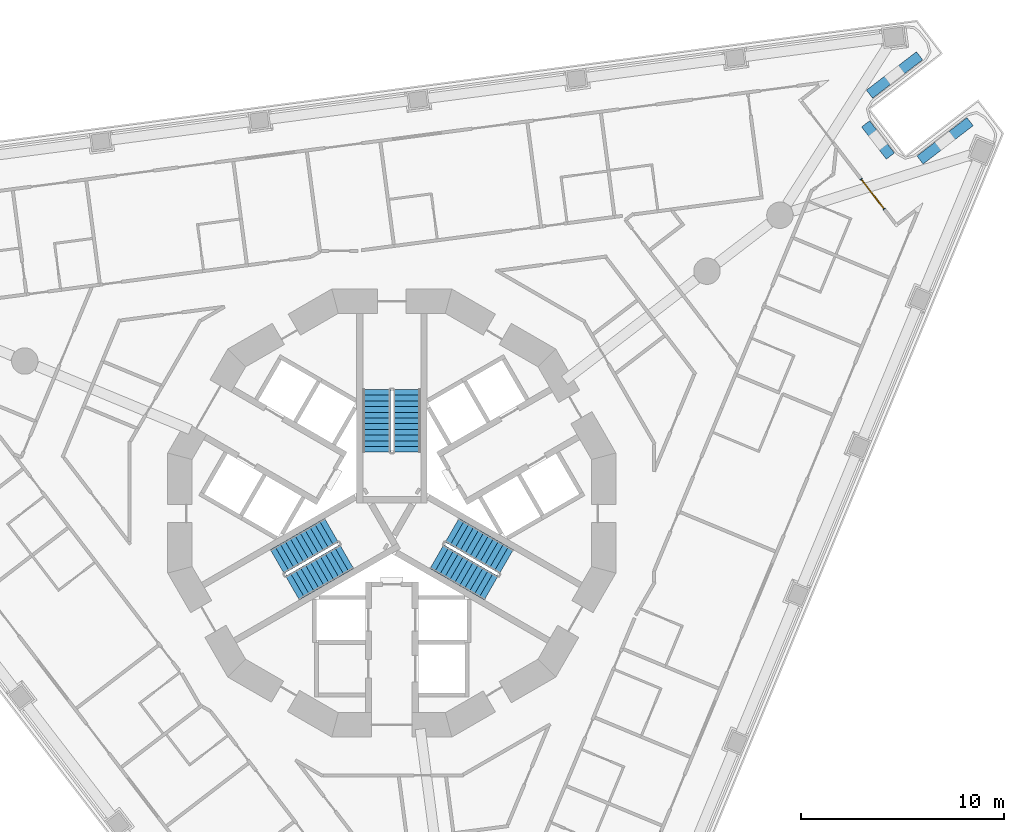
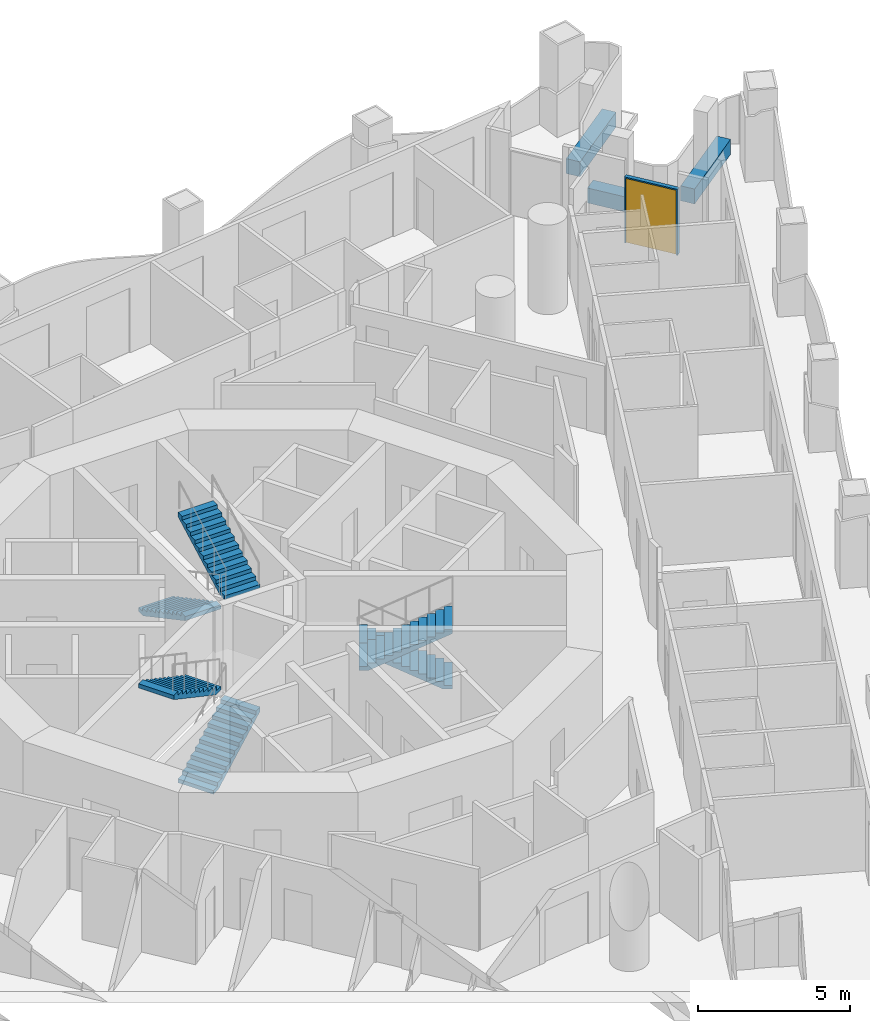
# One storey, part 11 of 19: 6 stair flights, 4 walls, 1 door, 1 opening, 3 elements without a shape of their own.
"""IFC4 building model written with IfcOpenShell, lengths in metres."""

from ifc_helpers import new_model, si_unit, direction, frame, frame_2d, origin, place, context, subcontext, project, spatial, polyline, rectangle, outline, extrude, material, layer, layer_set, type_object, element, fill, aggregate, save


model = new_model("IFC4")

# Units and contexts
model_context = context("Model", 3, precision=1e-05, world=origin(), true_north=direction((0.0, 1.0)))
body_context = subcontext(model_context, "Body", "Model", "MODEL_VIEW")
ifc_project = project(units=[si_unit("LENGTHUNIT", "METRE"), si_unit("AREAUNIT", "SQUARE_METRE"), si_unit("VOLUMEUNIT", "CUBIC_METRE"), si_unit("PLANEANGLEUNIT", "RADIAN"), si_unit("MASSUNIT", "GRAM", prefix="KILO")], contexts=[model_context])

# Site, building, storey
site_placement = place(None, origin())
site = spatial("IfcSite", under=ifc_project, at=site_placement, CompositionType="ELEMENT")
building_placement = place(site_placement, origin())
building = spatial("IfcBuilding", under=site, at=building_placement, Name="Trine Commons Tower", CompositionType="ELEMENT")
storey_placement = place(building_placement, frame((0.0, 0.0, 75.60009765625)))
storey = spatial("IfcBuildingStorey", under=building, at=storey_placement, Name="L18", CompositionType="ELEMENT", Elevation=75.60009765625)

# Wall, opening, door
ifc_material_1 = material(Name="Aluminium-framed insulated wall panel", Category="aluminium")
ifc_layer_1 = layer(ifc_material_1, 0.14990234375)
ifc_layer_set_1 = layer_set([ifc_layer_1], Name="Aluminium-framed insulated wall panel")
wall_type_1 = type_object("IfcWallType", Name="Glazed frame wall 150, EI 60", PredefinedType="SOLIDWALL", material=ifc_layer_set_1)
wall_1_placement = place(storey_placement, frame((103.051513671875, 78.927490234375, 0.0), z_axis=(0.0, 0.0, 1.0), x_axis=(0.608803740143, -0.793320872023, 0.0)))
wall_1 = element("IfcWall", 1, at=wall_1_placement, inside=storey, type_object=wall_type_1, Name="Glazed frame wall P2.4", PredefinedType="SOLIDWALL", context=body_context, shape_type="SweptSolid", body=[
    extrude(outline(polyline([(0.0, -0.074951171875), (1.89990234375, -0.074951171875), (1.89990234375, 0.074951171875), (0.0, 0.074951171875), (0.0, -0.074951171875)])), origin(), (0.0, 0.0, 1.0), 2.64990234375),
])
opening_placement = place(wall_1_placement, frame((0.050048828125, 0.0, 0.0)))
opening = element("IfcOpeningElement", 2, at=opening_placement, cuts=wall_1, Name="Opening BD-2P2-02", PredefinedType="OPENING", context=body_context, shape_type="SweptSolid", body=[
    extrude(rectangle(XDim=1.800048828125, YDim=2.60009765625, at=frame_2d((0.89990234375, 1.300048828125))), frame((0.0, 0.0849609375, 0.0), z_axis=(0.0, -1.0, 0.0), x_axis=(1.0, 0.0, 0.0)), (0.0, 0.0, 1.0), 0.169921875),
])
ifc_material_2 = material(Name="Anodised aluminium frame with double glazing", Category="aluminium")
door_type = type_object("IfcDoorType", Name="Sliding loggia door 1800x2600", OperationType="SLIDING_TO_LEFT", PredefinedType="DOOR", material=ifc_material_2)
door_placement = place(opening_placement, origin())
door = element("IfcDoor", 3, at=door_placement, inside=storey, type_object=door_type, Name="Loggia door P2 2", OperationType="SLIDING_TO_LEFT", OverallHeight=2.60009765625, OverallWidth=1.800048828125, PredefinedType="DOOR", context=body_context, shape_type="SweptSolid", body=[
    extrude(rectangle(XDim=1.800048828125, YDim=2.60009765625, at=frame_2d((0.89990234375, 1.300048828125))), frame((0.0, 0.02490234375, 0.0), z_axis=(0.0, -1.0, 0.0), x_axis=(1.0, 0.0, 0.0)), (0.0, 0.0, 1.0), 0.050048828125),
])
fill(opening, door)

# Walls
ifc_material_3 = material(Name="Planter trough, precast concrete C40/50", Category="concrete")
ifc_layer_2 = layer(ifc_material_3, 0.5)
ifc_layer_set_2 = layer_set([ifc_layer_2], Name="Planter trough, precast concrete C40/50")
wall_type_2 = type_object("IfcWallType", Name="Planter trough 500x600", PredefinedType="PARAPET", material=ifc_layer_set_2)
wall_2_placement = place(storey_placement, frame((105.933349609375, 84.970703125, 0.0), z_axis=(0.0, 0.0, 1.0), x_axis=(-0.793355321014, -0.608758847671, 0.0)))
element("IfcWall", 4, at=wall_2_placement, inside=storey, type_object=wall_type_2, Name="Planter 4", PredefinedType="PARAPET", context=body_context, shape_type="SweptSolid", body=[
    extrude(rectangle(XDim=3.10009765625, YDim=0.5, at=frame_2d((1.550048828125, 0.0))), origin(), (0.0, 0.0, 1.0), 0.599853515625),
])
wall_3_placement = place(storey_placement, frame((103.281982421875, 81.625244140625, 0.0), z_axis=(0.0, 0.0, 1.0), x_axis=(0.608772331974, -0.793344974033, 0.0)))
element("IfcWall", 5, at=wall_3_placement, inside=storey, type_object=wall_type_2, Name="Planter 5", PredefinedType="PARAPET", context=body_context, shape_type="SweptSolid", body=[
    extrude(rectangle(XDim=2.0, YDim=0.5, at=frame_2d((1.0, 0.0))), origin(), (0.0, 0.0, 1.0), 0.599853515625),
])
wall_4_placement = place(storey_placement, frame((105.95751953125, 79.8466796875, 0.0), z_axis=(0.0, 0.0, 1.0), x_axis=(0.793355321014, 0.608758847671, 0.0)))
element("IfcWall", 6, at=wall_4_placement, inside=storey, type_object=wall_type_2, Name="Planter 6", PredefinedType="PARAPET", context=body_context, shape_type="SweptSolid", body=[
    extrude(rectangle(XDim=3.10009765625, YDim=0.5, at=frame_2d((1.550048828125, 0.0))), origin(), (0.0, 0.0, 1.0), 0.599853515625),
])

# Stair, stair flights
ifc_material_4 = material(Name="Concrete C50/60", Category="concrete")
stair_type = type_object("IfcStairType", Name="Exit stair, dog-leg, 24 risers of 150 mm", PredefinedType="HALF_TURN_STAIR", material=ifc_material_4)
stair_1_placement = place(storey_placement, origin())
stair_1 = element("IfcStair", 7, at=stair_1_placement, inside=storey, type_object=stair_type, Name="L18 Exit stair ST1A", PredefinedType="HALF_TURN_STAIR")
stair_flight_type = type_object("IfcStairFlightType", Name="Stair flight, 1350 wide, 12 risers of 150 mm", PredefinedType="STRAIGHT", material=ifc_material_4)
stair_flight_1_placement = place(storey_placement, frame((79.25, 68.570556640625, 0.0), z_axis=(0.0, 0.0, 1.0), x_axis=(0.0, -1.0, 0.0)))
stair_flight_1 = element("IfcStairFlight", 8, at=stair_flight_1_placement, type_object=stair_flight_type, Name="ST1A flight 1", NumberOfRisers=12, NumberOfTreads=11, PredefinedType="STRAIGHT", RiserHeight=0.15, TreadLength=0.28, context=body_context, shape_type="SweptSolid", body=[
    extrude(outline(polyline([(0.0, 0.0), (0.0, 0.14990234375), (0.280029296875, 0.14990234375), (0.280029296875, 0.300048828125), (0.56005859375, 0.300048828125), (0.56005859375, 0.449951171875), (0.840087890625, 0.449951171875), (0.840087890625, 0.60009765625), (1.1201171875, 0.60009765625), (1.1201171875, 0.75), (1.39990234375, 0.75), (1.39990234375, 0.89990234375), (1.679931640625, 0.89990234375), (1.679931640625, 1.050048828125), (1.9599609375, 1.050048828125), (1.9599609375, 1.199951171875), (2.239990234375, 1.199951171875), (2.239990234375, 1.35009765625), (2.52001953125, 1.35009765625), (2.52001953125, 1.5), (2.800048828125, 1.5), (2.800048828125, 1.64990234375), (3.080078125, 1.64990234375), (3.080078125, 1.800048828125), (3.080078125, 1.47998046875), (0.3173828125, 0.0), (0.0, 0.0)])), frame((0.0, 0.675048828125, 0.0), z_axis=(0.0, -1.0, 0.0), x_axis=(1.0, 0.0, 0.0)), (0.0, 0.0, 1.0), 1.35009765625),
])
stair_flight_2_placement = place(storey_placement, frame((80.75, 65.490478515625, 1.7998046875), z_axis=(0.0, 0.0, 1.0), x_axis=(0.0, 1.0, 0.0)))
stair_flight_2 = element("IfcStairFlight", 9, at=stair_flight_2_placement, type_object=stair_flight_type, Name="ST1A flight 2", NumberOfRisers=12, NumberOfTreads=11, PredefinedType="STRAIGHT", RiserHeight=0.15, TreadLength=0.28, context=body_context, shape_type="SweptSolid", body=[
    extrude(outline(polyline([(0.0, 0.0), (0.0, 0.14990234375), (0.280029296875, 0.14990234375), (0.280029296875, 0.300048828125), (0.56005859375, 0.300048828125), (0.56005859375, 0.449951171875), (0.840087890625, 0.449951171875), (0.840087890625, 0.60009765625), (1.1201171875, 0.60009765625), (1.1201171875, 0.75), (1.39990234375, 0.75), (1.39990234375, 0.89990234375), (1.679931640625, 0.89990234375), (1.679931640625, 1.050048828125), (1.9599609375, 1.050048828125), (1.9599609375, 1.199951171875), (2.239990234375, 1.199951171875), (2.239990234375, 1.35009765625), (2.52001953125, 1.35009765625), (2.52001953125, 1.5), (2.800048828125, 1.5), (2.800048828125, 1.64990234375), (3.080078125, 1.64990234375), (3.080078125, 1.800048828125), (3.080078125, 1.47998046875), (0.3173828125, 0.0), (0.0, 0.0)])), frame((0.0, 0.675048828125, 0.0), z_axis=(0.0, -1.0, 0.0), x_axis=(1.0, 0.0, 0.0)), (0.0, 0.0, 1.0), 1.35009765625),
])
aggregate(stair_1, [stair_flight_1, stair_flight_2])

stair_2_placement = place(storey_placement, origin())
stair_2 = element("IfcStair", 10, at=stair_2_placement, inside=storey, type_object=stair_type, Name="L18 Exit stair ST2A", PredefinedType="HALF_TURN_STAIR")
stair_flight_3_placement = place(storey_placement, frame((75.11767578125, 58.815185546875, 0.0), z_axis=(0.0, 0.0, 1.0), x_axis=(0.866025403784, 0.5, 0.0)))
stair_flight_3 = element("IfcStairFlight", 11, at=stair_flight_3_placement, type_object=stair_flight_type, Name="ST2A flight 1", NumberOfRisers=12, NumberOfTreads=11, PredefinedType="STRAIGHT", RiserHeight=0.15, TreadLength=0.28, context=body_context, shape_type="SweptSolid", body=[
    extrude(outline(polyline([(0.0, 0.0), (0.0, 0.14990234375), (0.280029296875, 0.14990234375), (0.280029296875, 0.300048828125), (0.56005859375, 0.300048828125), (0.56005859375, 0.449951171875), (0.840087890625, 0.449951171875), (0.840087890625, 0.60009765625), (1.1201171875, 0.60009765625), (1.1201171875, 0.75), (1.39990234375, 0.75), (1.39990234375, 0.89990234375), (1.679931640625, 0.89990234375), (1.679931640625, 1.050048828125), (1.9599609375, 1.050048828125), (1.9599609375, 1.199951171875), (2.239990234375, 1.199951171875), (2.239990234375, 1.35009765625), (2.52001953125, 1.35009765625), (2.52001953125, 1.5), (2.800048828125, 1.5), (2.800048828125, 1.64990234375), (3.080078125, 1.64990234375), (3.080078125, 1.800048828125), (3.080078125, 1.47998046875), (0.3173828125, 0.0), (0.0, 0.0)])), frame((0.0, 0.675048828125, 0.0), z_axis=(0.0, -1.0, 0.0), x_axis=(1.0, 0.0, 0.0)), (0.0, 0.0, 1.0), 1.35009765625),
])
stair_flight_4_placement = place(storey_placement, frame((77.03515625, 61.654296875, 1.7998046875), z_axis=(0.0, 0.0, 1.0), x_axis=(-0.866025403784, -0.5, 0.0)))
stair_flight_4 = element("IfcStairFlight", 12, at=stair_flight_4_placement, type_object=stair_flight_type, Name="ST2A flight 2", NumberOfRisers=12, NumberOfTreads=11, PredefinedType="STRAIGHT", RiserHeight=0.15, TreadLength=0.28, context=body_context, shape_type="SweptSolid", body=[
    extrude(outline(polyline([(0.0, 0.0), (0.0, 0.14990234375), (0.280029296875, 0.14990234375), (0.280029296875, 0.300048828125), (0.56005859375, 0.300048828125), (0.56005859375, 0.449951171875), (0.840087890625, 0.449951171875), (0.840087890625, 0.60009765625), (1.1201171875, 0.60009765625), (1.1201171875, 0.75), (1.39990234375, 0.75), (1.39990234375, 0.89990234375), (1.679931640625, 0.89990234375), (1.679931640625, 1.050048828125), (1.9599609375, 1.050048828125), (1.9599609375, 1.199951171875), (2.239990234375, 1.199951171875), (2.239990234375, 1.35009765625), (2.52001953125, 1.35009765625), (2.52001953125, 1.5), (2.800048828125, 1.5), (2.800048828125, 1.64990234375), (3.080078125, 1.64990234375), (3.080078125, 1.800048828125), (3.080078125, 1.47998046875), (0.3173828125, 0.0), (0.0, 0.0)])), frame((0.0, 0.675048828125, 0.0), z_axis=(0.0, -1.0, 0.0), x_axis=(1.0, 0.0, 0.0)), (0.0, 0.0, 1.0), 1.35009765625),
])
aggregate(stair_2, [stair_flight_3, stair_flight_4])

stair_3_placement = place(storey_placement, origin())
stair_3 = element("IfcStair", 13, at=stair_3_placement, inside=storey, type_object=stair_type, Name="L18 Exit stair ST3A", PredefinedType="HALF_TURN_STAIR")
stair_flight_5_placement = place(storey_placement, frame((85.63232421875, 60.1142578125, 0.0), z_axis=(0.0, 0.0, 1.0), x_axis=(-0.866025403784, 0.5, 0.0)))
stair_flight_5 = element("IfcStairFlight", 14, at=stair_flight_5_placement, type_object=stair_flight_type, Name="ST3A flight 1", NumberOfRisers=12, NumberOfTreads=11, PredefinedType="STRAIGHT", RiserHeight=0.15, TreadLength=0.28, context=body_context, shape_type="SweptSolid", body=[
    extrude(outline(polyline([(0.0, 0.0), (0.0, 0.14990234375), (0.280029296875, 0.14990234375), (0.280029296875, 0.300048828125), (0.56005859375, 0.300048828125), (0.56005859375, 0.449951171875), (0.840087890625, 0.449951171875), (0.840087890625, 0.60009765625), (1.1201171875, 0.60009765625), (1.1201171875, 0.75), (1.39990234375, 0.75), (1.39990234375, 0.89990234375), (1.679931640625, 0.89990234375), (1.679931640625, 1.050048828125), (1.9599609375, 1.050048828125), (1.9599609375, 1.199951171875), (2.239990234375, 1.199951171875), (2.239990234375, 1.35009765625), (2.52001953125, 1.35009765625), (2.52001953125, 1.5), (2.800048828125, 1.5), (2.800048828125, 1.64990234375), (3.080078125, 1.64990234375), (3.080078125, 1.800048828125), (3.080078125, 1.47998046875), (0.3173828125, 0.0), (0.0, 0.0)])), frame((0.0, 0.675048828125, 0.0), z_axis=(0.0, -1.0, 0.0), x_axis=(1.0, 0.0, 0.0)), (0.0, 0.0, 1.0), 1.35009765625),
])
stair_flight_6_placement = place(storey_placement, frame((82.21484375, 60.355224609375, 1.7998046875), z_axis=(0.0, 0.0, 1.0), x_axis=(0.866025403784, -0.5, 0.0)))
stair_flight_6 = element("IfcStairFlight", 15, at=stair_flight_6_placement, type_object=stair_flight_type, Name="ST3A flight 2", NumberOfRisers=12, NumberOfTreads=11, PredefinedType="STRAIGHT", RiserHeight=0.15, TreadLength=0.28, context=body_context, shape_type="SweptSolid", body=[
    extrude(outline(polyline([(0.0, 0.0), (0.0, 0.14990234375), (0.280029296875, 0.14990234375), (0.280029296875, 0.300048828125), (0.56005859375, 0.300048828125), (0.56005859375, 0.449951171875), (0.840087890625, 0.449951171875), (0.840087890625, 0.60009765625), (1.1201171875, 0.60009765625), (1.1201171875, 0.75), (1.39990234375, 0.75), (1.39990234375, 0.89990234375), (1.679931640625, 0.89990234375), (1.679931640625, 1.050048828125), (1.9599609375, 1.050048828125), (1.9599609375, 1.199951171875), (2.239990234375, 1.199951171875), (2.239990234375, 1.35009765625), (2.52001953125, 1.35009765625), (2.52001953125, 1.5), (2.800048828125, 1.5), (2.800048828125, 1.64990234375), (3.080078125, 1.64990234375), (3.080078125, 1.800048828125), (3.080078125, 1.47998046875), (0.3173828125, 0.0), (0.0, 0.0)])), frame((0.0, 0.675048828125, 0.0), z_axis=(0.0, -1.0, 0.0), x_axis=(1.0, 0.0, 0.0)), (0.0, 0.0, 1.0), 1.35009765625),
])
aggregate(stair_3, [stair_flight_5, stair_flight_6])

save(model, "model.ifc")
